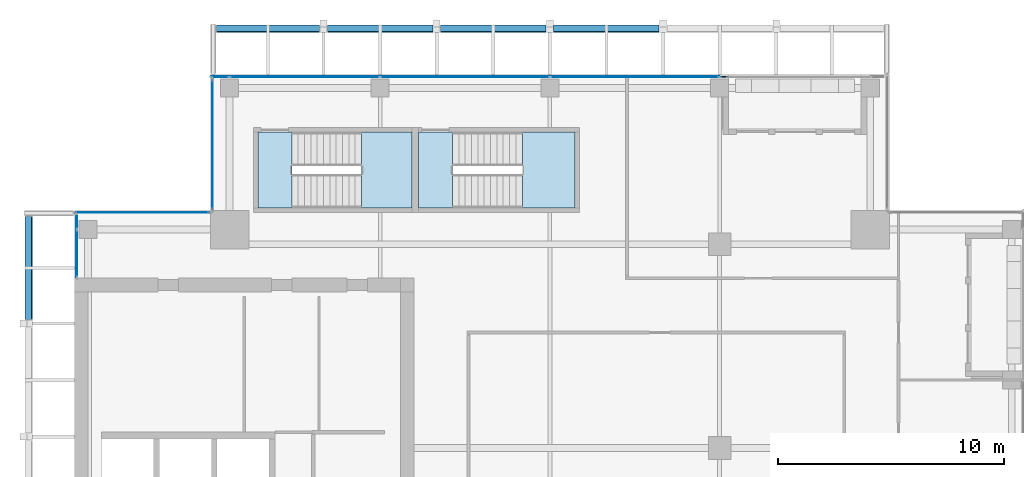
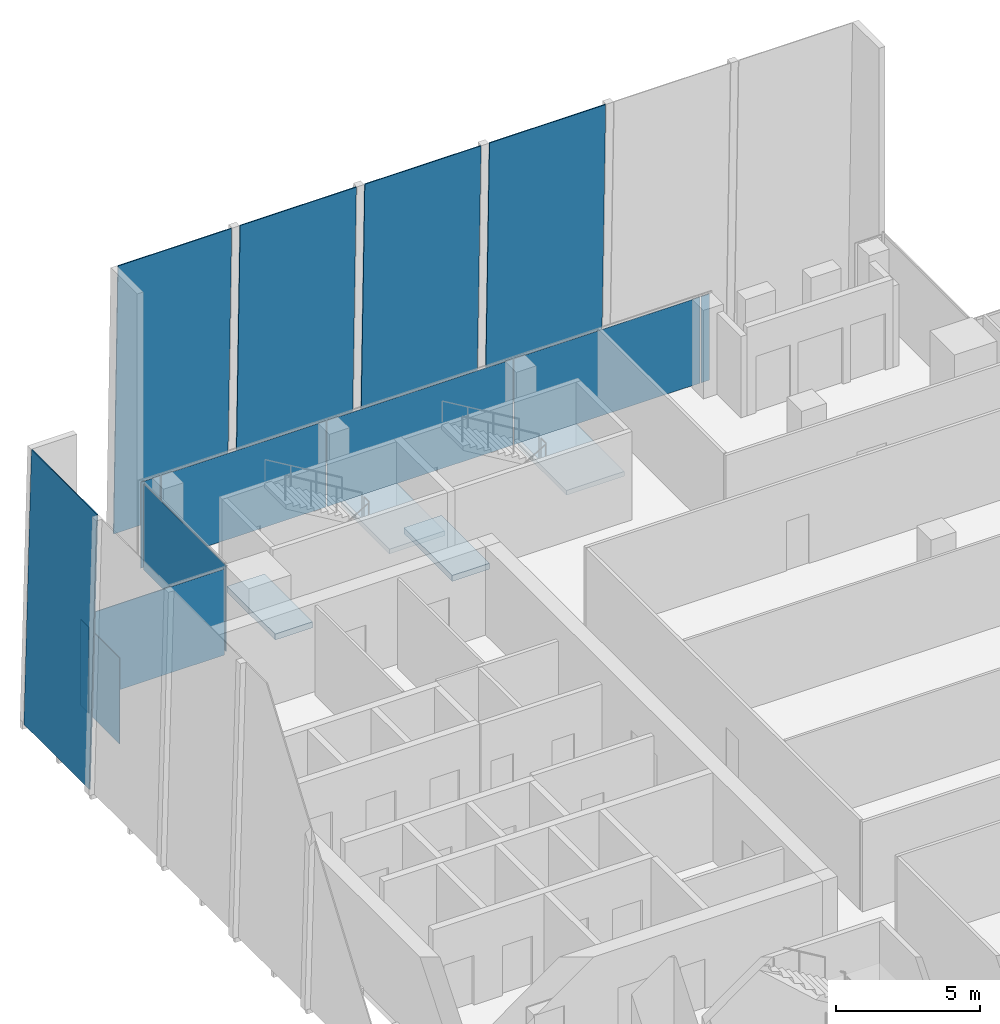
# One storey, part 24 of 33: 14 plates, 4 slabs, 6 elements without a shape of their own.
"""IFC4 building model written with IfcOpenShell, lengths in metres."""

from ifc_helpers import new_model, si_unit, direction, frame, origin, origin_2d, place, context, subcontext, project, spatial, polyline, rectangle, outline, extrude, source, transform, mapped, material, layer, layer_set, type_object, element, aggregate, save


model = new_model("IFC4")

# Units and contexts
model_context = context("Model", 3, precision=1e-05, world=origin(), true_north=direction((0.0, 1.0)))
body_context = subcontext(model_context, "Body", "Model", "MODEL_VIEW")
ifc_project = project(units=[si_unit("LENGTHUNIT", "METRE"), si_unit("AREAUNIT", "SQUARE_METRE"), si_unit("VOLUMEUNIT", "CUBIC_METRE"), si_unit("PLANEANGLEUNIT", "RADIAN"), si_unit("MASSUNIT", "GRAM", prefix="KILO")], contexts=[model_context])

# Site, building, storey
site_placement = place(None, origin())
site = spatial("IfcSite", under=ifc_project, at=site_placement, CompositionType="ELEMENT")
building_placement = place(site_placement, origin())
building = spatial("IfcBuilding", under=site, at=building_placement, Name="Khomas Fold Tower", CompositionType="ELEMENT")
storey_placement = place(building_placement, frame((0.0, 0.0, 294.199951171875)))
storey = spatial("IfcBuildingStorey", under=building, at=storey_placement, Name="L66", CompositionType="ELEMENT", Elevation=294.199951171875)

# Plates
ifc_material_1 = material(Name="Clear laminated glass", Category="glass")
ifc_layer_1 = layer(ifc_material_1, 0.0400390625)
ifc_layer_set_1 = layer_set([ifc_layer_1], Name="Clear laminated glass")
plate_type_1 = type_object("IfcPlateType", Name="SK-Clear laminated glass leaf", PredefinedType="SHEET", material=ifc_layer_set_1)
plate_1_placement = place(storey_placement, frame((12.27001953125, 50.19384765625, 0.0009765625), z_axis=(0.0, 0.999657783631, 0.026159427089), x_axis=(1.0, 0.0, 0.0)))
element("IfcPlate", 1, at=plate_1_placement, inside=storey, type_object=plate_type_1, Name="OUTER SKIN glass L66 N1", PredefinedType="SHEET", context=body_context, shape_type="SweptSolid", body=[
    extrude(outline(polyline([(0.0, 0.0), (4.56005859375, 0.0), (4.56005859375, -11.554002797007572), (0.0, -11.554002797007572), (0.0, 0.0)])), origin(), (0.0, 0.0, -1.0), 0.0400390625),
])
for number, where, z_axis, x_axis, name in (
    (2, (17.169921875, 50.19384765625, 0.0009765625), (0.0, 0.999657783631, 0.026159427089), (1.0, 0.0, 0.0), "OUTER SKIN glass L66 N3"),
    (3, (22.169921875, 50.19384765625, 0.0009765625), (0.0, 0.999657783631, 0.026159427089), (1.0, 0.0, 0.0), "OUTER SKIN glass L66 N5"),
    (4, (27.169921875, 50.19384765625, 0.0009765625), (0.0, 0.999657783631, 0.026159427089), (1.0, 0.0, 0.0), "OUTER SKIN glass L66 N7"),
):
    element("IfcPlate", number, at=place(storey_placement, frame(where, z_axis=z_axis, x_axis=x_axis)), inside=storey, type_object=plate_type_1, Name=name, PredefinedType="SHEET", context=body_context, shape_type="SweptSolid", body=[
        extrude(outline(polyline([(0.0, 0.0), (4.66015625, 0.0), (4.66015625, -11.554002797007573), (0.0, -11.554002797007573), (0.0, 0.0)])), origin(), (0.0, 0.0, -1.0), 0.0400390625),
    ])
plate_2_placement = place(storey_placement, frame((3.80615234375, 37.169921875, 0.0009765625), z_axis=(-0.999657783631, 0.0, 0.026159427089), x_axis=(0.0, 1.0, 0.0)))
element("IfcPlate", 5, at=plate_2_placement, inside=storey, type_object=plate_type_1, Name="OUTER SKIN glass L66 W11", PredefinedType="SHEET", context=body_context, shape_type="SweptSolid", body=[
    extrude(outline(polyline([(0.0, 0.0), (4.56005859375, 0.0), (4.56005859375, -11.554002797007572), (0.0, -11.554002797007572), (0.0, 0.0)])), origin(), (0.0, 0.0, -1.0), 0.0400390625),
])

# Curtain wall, plate
ifc_material_2 = material(Name="Aluminium framed double glazing", Category="aluminium")
curtain_wall_type = type_object("IfcCurtainWallType", Name="SK-Unitised clear-glass wall, upper floors CW3", PredefinedType="NOTDEFINED", material=ifc_material_2)
curtain_wall_1_placement = place(storey_placement, origin())
curtain_wall_1 = element("IfcCurtainWall", 6, at=curtain_wall_1_placement, inside=storey, type_object=curtain_wall_type, Name="CW3 run L66 09-0", PredefinedType="NOTDEFINED")
ifc_material_3 = material(Name="Clear double glazed unit")
ifc_layer_2 = layer(ifc_material_3, 0.028076171875)
ifc_layer_set_2 = layer_set([ifc_layer_2], Name="Clear double glazed unit")
plate_type_2 = type_object("IfcPlateType", Name="SK-Unitised clear-glass wall, upper floors glass panel CW3-P", PredefinedType="CURTAIN_PANEL", material=ifc_layer_set_2)
shared_shape_1 = source(origin(), body_context, "Body", "SweptSolid", [
    extrude(rectangle(XDim=0.574951171875, YDim=0.028076171875, at=origin_2d()), origin(), (0.0, 0.0, 1.0), 3.64990234375),
])
plate_3_placement = place(storey_placement, frame((6.10009765625, 41.46240234375, 0.0), z_axis=(0.0, 0.0, 1.0), x_axis=(0.0, -1.0, 0.0)))
plate_3 = element("IfcPlate", 7, at=plate_3_placement, type_object=plate_type_2, Name="CW3 glass panel 1", PredefinedType="CURTAIN_PANEL", context=body_context, shape_type="MappedRepresentation", body=[
    mapped(shared_shape_1, transform((0.0, 0.0, 0.0))),
])

# Curtain wall, plates
curtain_wall_2_placement = place(storey_placement, origin())
curtain_wall_2 = element("IfcCurtainWall", 8, at=curtain_wall_2_placement, inside=storey, type_object=curtain_wall_type, Name="CW3 run L66 06-1", PredefinedType="NOTDEFINED")
shared_shape_2 = source(origin(), body_context, "Body", "SweptSolid", [
    extrude(rectangle(XDim=6.60009765625, YDim=0.028076171875, at=origin_2d()), origin(), (0.0, 0.0, 1.0), 3.64990234375),
])
plate_4_placement = place(storey_placement, frame((16.175048828125, 47.89990234375, 0.0), z_axis=(0.0, 0.0, 1.0), x_axis=(-1.0, 0.0, 0.0)))
plate_4 = element("IfcPlate", 9, at=plate_4_placement, type_object=plate_type_2, Name="CW3 glass panel 4", PredefinedType="CURTAIN_PANEL", context=body_context, shape_type="MappedRepresentation", body=[
    mapped(shared_shape_2, transform((0.0, 0.0, 0.0))),
])
shared_shape_3 = source(origin(), body_context, "Body", "SweptSolid", [
    extrude(rectangle(XDim=7.449951171875, YDim=0.028076171875, at=origin_2d()), origin(), (0.0, 0.0, 1.0), 3.64990234375),
])
plate_5_placement = place(storey_placement, frame((30.75, 47.89990234375, 0.0), z_axis=(0.0, 0.0, 1.0), x_axis=(-1.0, 0.0, 0.0)))
plate_5 = element("IfcPlate", 10, at=plate_5_placement, type_object=plate_type_2, Name="CW3 glass panel 2", PredefinedType="CURTAIN_PANEL", context=body_context, shape_type="MappedRepresentation", body=[
    mapped(shared_shape_3, transform((0.0, 0.0, 0.0))),
])
plate_6_placement = place(storey_placement, frame((23.25, 47.89990234375, 0.0), z_axis=(0.0, 0.0, 1.0), x_axis=(-1.0, 0.0, 0.0)))
plate_6 = element("IfcPlate", 11, at=plate_6_placement, type_object=plate_type_2, Name="CW3 glass panel 3", PredefinedType="CURTAIN_PANEL", context=body_context, shape_type="MappedRepresentation", body=[
    mapped(shared_shape_3, transform((0.0, 0.0, 0.0))),
])
shared_shape_4 = source(origin(), body_context, "Body", "SweptSolid", [
    extrude(rectangle(XDim=0.77490234375, YDim=0.028076171875, at=origin_2d()), origin(), (0.0, 0.0, 1.0), 3.64990234375),
])
plate_7_placement = place(storey_placement, frame((12.4375, 47.89990234375, 0.0), z_axis=(0.0, 0.0, 1.0), x_axis=(-1.0, 0.0, 0.0)))
plate_7 = element("IfcPlate", 12, at=plate_7_placement, type_object=plate_type_2, Name="CW3 glass panel 5", PredefinedType="CURTAIN_PANEL", context=body_context, shape_type="MappedRepresentation", body=[
    mapped(shared_shape_4, transform((0.0, 0.0, 0.0))),
])

# Curtain wall, plate
curtain_wall_3_placement = place(storey_placement, origin())
curtain_wall_3 = element("IfcCurtainWall", 13, at=curtain_wall_3_placement, inside=storey, type_object=curtain_wall_type, Name="CW3 corner return L66 07", PredefinedType="NOTDEFINED")
shared_shape_5 = source(origin(), body_context, "Body", "SweptSolid", [
    extrude(rectangle(XDim=5.699951171875, YDim=0.028076171875, at=origin_2d()), origin(), (0.0, 0.0, 1.0), 3.64990234375),
])
plate_8_placement = place(storey_placement, frame((12.10009765625, 44.89990234375, 0.0), z_axis=(0.0, 0.0, 1.0), x_axis=(0.0, -1.0, 0.0)))
plate_8 = element("IfcPlate", 14, at=plate_8_placement, type_object=plate_type_2, Name="CW3 glass panel 1", PredefinedType="CURTAIN_PANEL", context=body_context, shape_type="MappedRepresentation", body=[
    mapped(shared_shape_5, transform((0.0, 0.0, 0.0))),
])
aggregate(curtain_wall_3, [plate_8])

curtain_wall_4_placement = place(storey_placement, origin())
curtain_wall_4 = element("IfcCurtainWall", 15, at=curtain_wall_4_placement, inside=storey, type_object=curtain_wall_type, Name="CW3 corner return L66 08", PredefinedType="NOTDEFINED")
shared_shape_6 = source(origin(), body_context, "Body", "SweptSolid", [
    extrude(rectangle(XDim=5.89990234375, YDim=0.028076171875, at=origin_2d()), origin(), (0.0, 0.0, 1.0), 3.64990234375),
])
plate_9_placement = place(storey_placement, frame((9.0, 41.89990234375, 0.0), z_axis=(0.0, 0.0, 1.0), x_axis=(-1.0, 0.0, 0.0)))
plate_9 = element("IfcPlate", 16, at=plate_9_placement, type_object=plate_type_2, Name="CW3 glass panel 1", PredefinedType="CURTAIN_PANEL", context=body_context, shape_type="MappedRepresentation", body=[
    mapped(shared_shape_6, transform((0.0, 0.0, 0.0))),
])
aggregate(curtain_wall_4, [plate_9])

# Plate
shared_shape_7 = source(origin(), body_context, "Body", "SweptSolid", [
    extrude(rectangle(XDim=0.324951171875, YDim=0.028076171875, at=origin_2d()), origin(), (0.0, 0.0, 1.0), 3.64990234375),
])
plate_10_placement = place(storey_placement, frame((34.6875, 47.89990234375, 0.0), z_axis=(0.0, 0.0, 1.0), x_axis=(-1.0, 0.0, 0.0)))
plate_10 = element("IfcPlate", 17, at=plate_10_placement, type_object=plate_type_2, Name="CW3 glass panel 1", PredefinedType="CURTAIN_PANEL", context=body_context, shape_type="MappedRepresentation", body=[
    mapped(shared_shape_7, transform((0.0, 0.0, 0.0))),
])

aggregate(curtain_wall_2, [plate_10, plate_5, plate_6, plate_4, plate_7])

shared_shape_8 = source(origin(), body_context, "Body", "SweptSolid", [
    extrude(rectangle(XDim=2.074951171875, YDim=0.028076171875, at=origin_2d()), origin(), (0.0, 0.0, 1.0), 3.64990234375),
])
plate_11_placement = place(storey_placement, frame((6.10009765625, 40.08740234375, 0.0), z_axis=(0.0, 0.0, 1.0), x_axis=(0.0, -1.0, 0.0)))
plate_11 = element("IfcPlate", 18, at=plate_11_placement, type_object=plate_type_2, Name="CW3 glass panel 2", PredefinedType="CURTAIN_PANEL", context=body_context, shape_type="MappedRepresentation", body=[
    mapped(shared_shape_8, transform((0.0, 0.0, 0.0))),
])

aggregate(curtain_wall_1, [plate_3, plate_11])

# Stair, slab
ifc_material_4 = material(Name="Concrete C40/50", Category="concrete")
stair_type_1 = type_object("IfcStairType", Name="Stair ST1", PredefinedType="HALF_TURN_STAIR", material=ifc_material_4)
stair_1_placement = place(storey_placement, origin())
stair_1 = element("IfcStair", 19, at=stair_1_placement, inside=storey, type_object=stair_type_1, Name="L66 ST1", PredefinedType="HALF_TURN_STAIR")
ifc_material_5 = material(Name="Concrete C40/50", Category="concrete")
ifc_layer_3 = layer(ifc_material_5, 0.199951171875)
ifc_layer_set_3 = layer_set([ifc_layer_3], Name="Concrete C40/50")
slab_type_1 = type_object("IfcSlabType", Name="Stair landing 200", PredefinedType="LANDING", material=ifc_layer_set_3)
shared_shape_9 = source(origin(), body_context, "Body", "SweptSolid", [
    extrude(outline(polyline([(18.679931640625, 42.10009765625), (20.89990234375, 42.10009765625), (20.89990234375, 45.449951171875), (18.679931640625, 45.449951171875), (18.679931640625, 42.10009765625)])), origin(), (0.0, 0.0, 1.0), 0.199951171875),
])
slab_1_placement = place(storey_placement, frame((0.0, 0.0, 1.800048828125)))
slab_1 = element("IfcSlab", 20, at=slab_1_placement, type_object=slab_type_1, Name="ST1 landing 1", PredefinedType="LANDING", context=body_context, shape_type="MappedRepresentation", body=[
    mapped(shared_shape_9, transform((0.0, 0.0, 0.0))),
])
aggregate(stair_1, [slab_1])

# Slab
ifc_material_6 = material(Name="Concrete C40/50", Category="concrete")
ifc_layer_4 = layer(ifc_material_6, 0.25)
ifc_layer_set_4 = layer_set([ifc_layer_4], Name="Concrete C40/50")
slab_type_2 = type_object("IfcSlabType", Name="Stair floor landing 250", PredefinedType="LANDING", material=ifc_layer_set_4)
shared_shape_10 = source(origin(), body_context, "Body", "SweptSolid", [
    extrude(outline(polyline([(15.60009765625, 42.10009765625), (14.10009765625, 42.10009765625), (14.10009765625, 45.449951171875), (15.60009765625, 45.449951171875), (15.60009765625, 42.10009765625)])), origin(), (0.0, 0.0, 1.0), 0.25),
])
slab_2_placement = place(storey_placement, frame((0.0, 0.0, -0.25)))
element("IfcSlab", 21, at=slab_2_placement, inside=storey, type_object=slab_type_2, Name="ST1 floor landing", PredefinedType="LANDING", context=body_context, shape_type="MappedRepresentation", body=[
    mapped(shared_shape_10, transform((0.0, 0.0, 0.0))),
])

# Stair, slab
ifc_material_7 = material(Name="Concrete C40/50", Category="concrete")
stair_type_2 = type_object("IfcStairType", Name="Stair ST3", PredefinedType="HALF_TURN_STAIR", material=ifc_material_7)
stair_2_placement = place(storey_placement, origin())
stair_2 = element("IfcStair", 22, at=stair_2_placement, inside=storey, type_object=stair_type_2, Name="L66 ST3", PredefinedType="HALF_TURN_STAIR")
shared_shape_11 = source(origin(), body_context, "Body", "SweptSolid", [
    extrude(outline(polyline([(25.780029296875, 42.10009765625), (28.10009765625, 42.10009765625), (28.10009765625, 45.449951171875), (25.780029296875, 45.449951171875), (25.780029296875, 42.10009765625)])), origin(), (0.0, 0.0, 1.0), 0.199951171875),
])
slab_3_placement = place(storey_placement, frame((0.0, 0.0, 1.800048828125)))
slab_3 = element("IfcSlab", 23, at=slab_3_placement, type_object=slab_type_1, Name="ST3 landing 1", PredefinedType="LANDING", context=body_context, shape_type="MappedRepresentation", body=[
    mapped(shared_shape_11, transform((0.0, 0.0, 0.0))),
])
aggregate(stair_2, [slab_3])

# Slab
shared_shape_12 = source(origin(), body_context, "Body", "SweptSolid", [
    extrude(outline(polyline([(22.699951171875, 42.10009765625), (21.199951171875, 42.10009765625), (21.199951171875, 45.449951171875), (22.699951171875, 45.449951171875), (22.699951171875, 42.10009765625)])), origin(), (0.0, 0.0, 1.0), 0.25),
])
slab_4_placement = place(storey_placement, frame((0.0, 0.0, -0.25)))
element("IfcSlab", 24, at=slab_4_placement, inside=storey, type_object=slab_type_2, Name="ST3 floor landing", PredefinedType="LANDING", context=body_context, shape_type="MappedRepresentation", body=[
    mapped(shared_shape_12, transform((0.0, 0.0, 0.0))),
])

save(model, "model.ifc")
